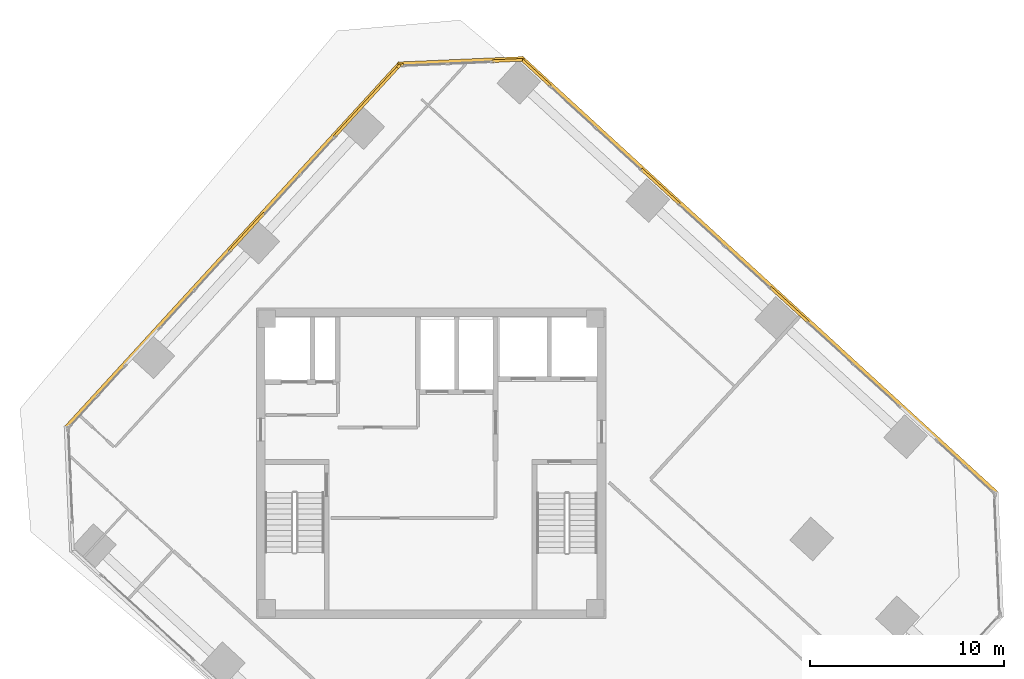
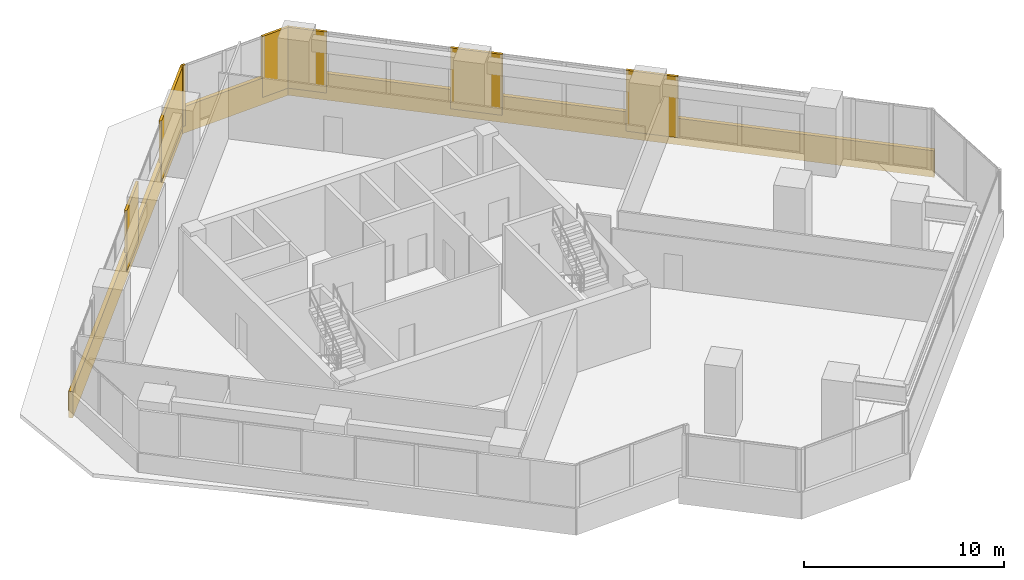
# One storey, part 19 of 19: 11 coverings.
"""IFC4 building model written with IfcOpenShell, lengths in metres."""

from ifc_helpers import new_model, si_unit, direction, frame, origin, origin_2d, place, context, subcontext, project, spatial, rectangle, extrude, source, transform, mapped, material, layer, layer_set, type_object, element, save


model = new_model("IFC4")

# Units and contexts
model_context = context("Model", 3, precision=1e-05, world=origin(), true_north=direction((0.0, 1.0)))
body_context = subcontext(model_context, "Body", "Model", "MODEL_VIEW")
ifc_project = project(units=[si_unit("LENGTHUNIT", "METRE"), si_unit("AREAUNIT", "SQUARE_METRE"), si_unit("VOLUMEUNIT", "CUBIC_METRE"), si_unit("PLANEANGLEUNIT", "RADIAN"), si_unit("MASSUNIT", "GRAM", prefix="KILO")], contexts=[model_context])

# Site, building, storey
site_placement = place(None, origin())
site = spatial("IfcSite", under=ifc_project, at=site_placement, CompositionType="ELEMENT")
building_placement = place(site_placement, origin())
building = spatial("IfcBuilding", under=site, at=building_placement, Name="Torre Montelarca", CompositionType="ELEMENT")
storey_placement = place(building_placement, frame((0.0, 0.0, 229.0)))
storey = spatial("IfcBuildingStorey", under=building, at=storey_placement, Name="L51", CompositionType="ELEMENT", Elevation=229.0)

# Coverings
ifc_material = material(Name="Bush-hammered warm white precast concrete C45/55", Category="concrete")
ifc_layer = layer(ifc_material, 0.139892578125, Name="Bush-hammered warm white precast concrete C45/55", Category="concrete")
ifc_layer_set = layer_set([ifc_layer], Name="Bush-hammered warm white precast concrete C45/55")
covering_type = type_object("IfcCoveringType", Name="COV-TRAY-CLAD", PredefinedType="CLADDING", material=ifc_layer_set)
shared_shape_1 = source(origin(), body_context, "Body", "SweptSolid", [
    extrude(rectangle(XDim=6.48388671875, YDim=0.219970703125, at=origin_2d()), origin(), (0.0, 0.0, 1.0), 1.6201171875),
])
covering_1_placement = place(storey_placement, frame((19.534912109375, 52.69287109375, -0.449951171875), z_axis=(0.0, 0.0, 1.0), x_axis=(-0.99904814545, -0.043621131033, 0.0)))
element("IfcCovering", 1, at=covering_1_placement, inside=storey, type_object=covering_type, Name="L51 Architectural White Spandrel Tray Band TRYBOT-09", PredefinedType="CLADDING", context=body_context, shape_type="MappedRepresentation", body=[
    mapped(shared_shape_1, transform((0.0, 0.0, 0.0), scale=1.0)),
])
shared_shape_2 = source(origin(), body_context, "Body", "SweptSolid", [
    extrude(rectangle(XDim=25.52001953125, YDim=0.219970703125, at=origin_2d()), origin(), (0.0, 0.0, 1.0), 1.6201171875),
])
covering_2_placement = place(storey_placement, frame((7.796630859375, 43.200439453125, -0.449951171875), z_axis=(0.0, 0.0, 1.0), x_axis=(-0.675588920823, -0.737278515936, 0.0)))
element("IfcCovering", 2, at=covering_2_placement, inside=storey, type_object=covering_type, Name="L51 Architectural White Spandrel Tray Band TRYBOT-10", PredefinedType="CLADDING", context=body_context, shape_type="MappedRepresentation", body=[
    mapped(shared_shape_2, transform((0.0, 0.0, 0.0), scale=1.0)),
])
shared_shape_3 = source(origin(), body_context, "Body", "SweptSolid", [
    extrude(rectangle(XDim=0.199951171875, YDim=0.139892578125, at=origin_2d()), origin(), (0.0, 0.0, 1.0), 3.719970703125),
])
for number, where, z_axis, x_axis, name in (
    (3, (16.474365234375, 52.499267578125, 0.0), (0.0, 0.0, 1.0), (-0.999047840893, -0.043628105704, 0.0), "L51 Architectural Column Pier Cladding E09-2"),
    (4, (16.3427734375, 52.43798828125, 0.0), (0.0, 0.0, 1.0), (-0.675588920823, -0.737278515936, 0.0), "L51 Architectural Column Pier Cladding E10-1"),
):
    element("IfcCovering", number, at=place(storey_placement, frame(where, z_axis=z_axis, x_axis=x_axis)), inside=storey, type_object=covering_type, Name=name, PredefinedType="CLADDING", context=body_context, shape_type="MappedRepresentation", body=[
        mapped(shared_shape_3, transform((0.0, 0.0, 0.0), scale=1.0)),
    ])
shared_shape_4 = source(origin(), body_context, "Body", "SweptSolid", [
    extrude(rectangle(XDim=2.01416015625, YDim=0.139892578125, at=origin_2d()), origin(), (0.0, 0.0, 1.0), 3.719970703125),
])
covering_3_placement = place(storey_placement, frame((23.406005859375, 52.104248046875, 0.0), z_axis=(0.0, 0.0, 1.0), x_axis=(-0.73727733681, 0.675590207616, 0.0)))
element("IfcCovering", 5, at=covering_3_placement, inside=storey, type_object=covering_type, Name="L51 Architectural Column Pier Cladding E08-5", PredefinedType="CLADDING", context=body_context, shape_type="MappedRepresentation", body=[
    mapped(shared_shape_4, transform((0.0, 0.0, 0.0), scale=1.0)),
])
shared_shape_5 = source(origin(), body_context, "Body", "SweptSolid", [
    extrude(rectangle(XDim=2.659912109375, YDim=0.139892578125, at=origin_2d()), origin(), (0.0, 0.0, 1.0), 3.719970703125),
])
for number, where, z_axis, x_axis, name in (
    (6, (36.438720703125, 40.161865234375, 0.0), (0.0, 0.0, 1.0), (-0.73727733681, 0.675590207616, 0.0), "L51 Architectural Column Pier Cladding E08-3"),
    (7, (29.80322265625, 46.2421875, 0.0), (0.0, 0.0, 1.0), (-0.73727733681, 0.675590207616, 0.0), "L51 Architectural Column Pier Cladding E08-4"),
    (8, (8.5166015625, 43.897216796875, 0.0), (0.0, 0.0, 1.0), (-0.675588920823, -0.737278515936, 0.0), "L51 Architectural Column Pier Cladding E10-3"),
):
    element("IfcCovering", number, at=place(storey_placement, frame(where, z_axis=z_axis, x_axis=x_axis)), inside=storey, type_object=covering_type, Name=name, PredefinedType="CLADDING", context=body_context, shape_type="MappedRepresentation", body=[
        mapped(shared_shape_5, transform((0.0, 0.0, 0.0), scale=1.0)),
    ])
shared_shape_6 = source(origin(), body_context, "Body", "SweptSolid", [
    extrude(rectangle(XDim=1.561767578125, YDim=0.139892578125, at=origin_2d()), origin(), (0.0, 0.0, 1.0), 3.719970703125),
])
covering_4_placement = place(storey_placement, frame((21.92041015625, 52.737060546875, 0.0), z_axis=(0.0, 0.0, 1.0), x_axis=(-0.999047840893, -0.043628105704, 0.0)))
element("IfcCovering", 9, at=covering_4_placement, inside=storey, type_object=covering_type, Name="L51 Architectural Column Pier Cladding E09-1", PredefinedType="CLADDING", context=body_context, shape_type="MappedRepresentation", body=[
    mapped(shared_shape_6, transform((0.0, 0.0, 0.0), scale=1.0)),
])
shared_shape_7 = source(origin(), body_context, "Body", "SweptSolid", [
    extrude(rectangle(XDim=4.914306640625, YDim=0.139892578125, at=origin_2d()), origin(), (0.0, 0.0, 1.0), 3.719970703125),
])
covering_5_placement = place(storey_placement, frame((14.6826171875, 50.62646484375, 0.0), z_axis=(0.0, 0.0, 1.0), x_axis=(-0.675588920823, -0.737278515936, 0.0)))
element("IfcCovering", 10, at=covering_5_placement, inside=storey, type_object=covering_type, Name="L51 Architectural Column Pier Cladding E10-2", PredefinedType="CLADDING", context=body_context, shape_type="MappedRepresentation", body=[
    mapped(shared_shape_7, transform((0.0, 0.0, 0.0), scale=1.0)),
])
shared_shape_8 = source(origin(), body_context, "Body", "SweptSolid", [
    extrude(rectangle(XDim=33.22021484375, YDim=0.219970703125, at=origin_2d()), origin(), (0.0, 0.0, 1.0), 1.6201171875),
])
covering_6_placement = place(storey_placement, frame((34.894287109375, 41.658447265625, -0.449951171875), z_axis=(0.0, 0.0, 1.0), x_axis=(-0.737276157682, 0.675591494406, 0.0)))
element("IfcCovering", 11, at=covering_6_placement, inside=storey, type_object=covering_type, Name="L51 Architectural White Spandrel Tray Band TRYBOT-08", PredefinedType="CLADDING", context=body_context, shape_type="MappedRepresentation", body=[
    mapped(shared_shape_8, transform((0.0, 0.0, 0.0), scale=1.0)),
])

save(model, "model.ifc")
